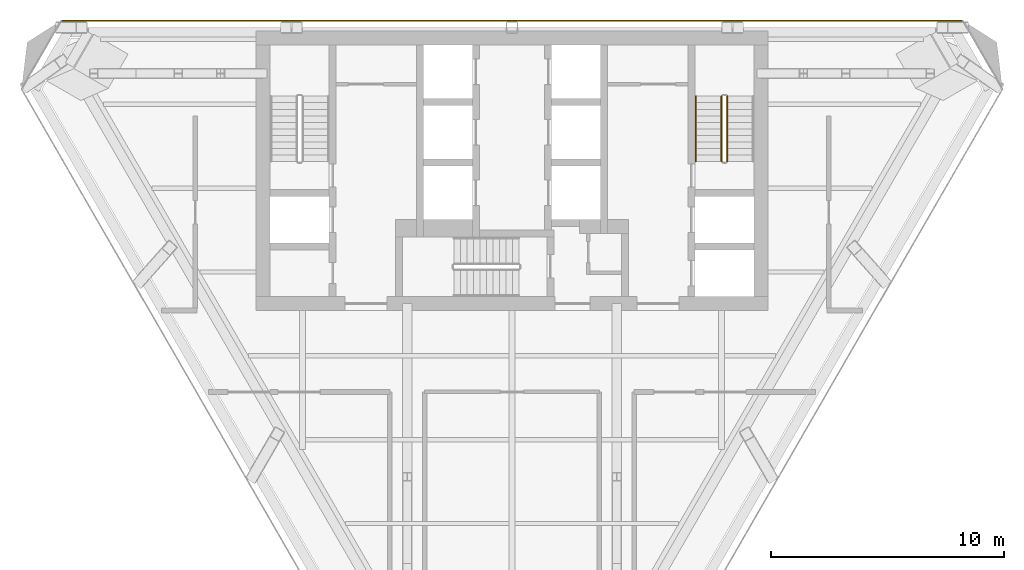
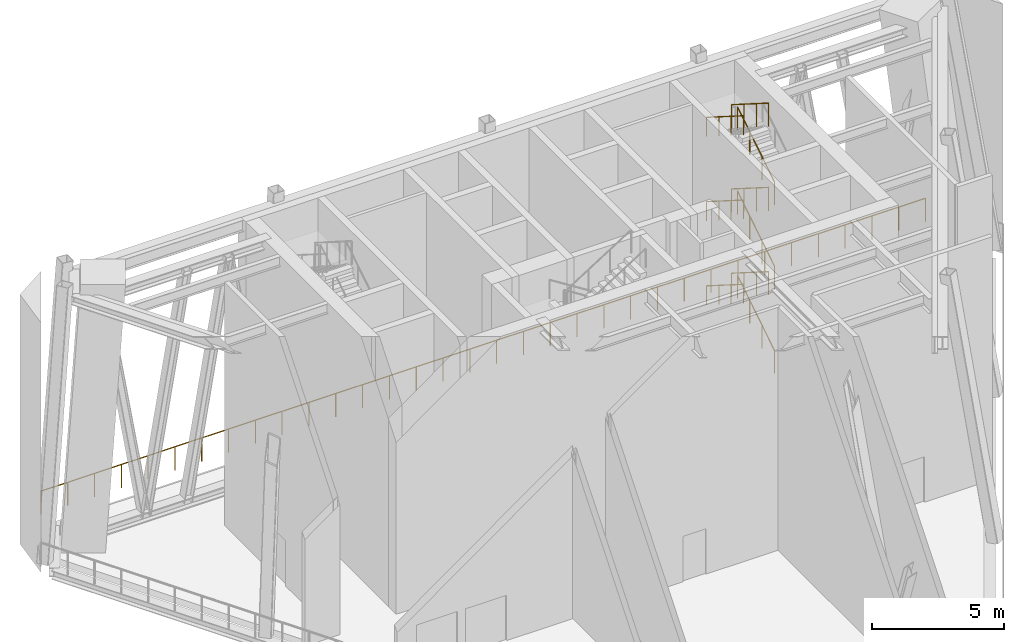
# One storey, part 10 of 11: 10 railings.
"""IFC4 building model written with IfcOpenShell, lengths in metres."""

from ifc_helpers import new_model, si_unit, direction, frame, origin, origin_2d, place, context, subcontext, project, spatial, circle, extrude, material, type_object, element, save


model = new_model("IFC4")

# Units and contexts
model_context = context("Model", 3, precision=1e-05, world=origin(), true_north=direction((0.0, 1.0)))
body_context = subcontext(model_context, "Body", "Model", "MODEL_VIEW")
ifc_project = project(units=[si_unit("LENGTHUNIT", "METRE"), si_unit("AREAUNIT", "SQUARE_METRE"), si_unit("VOLUMEUNIT", "CUBIC_METRE"), si_unit("PLANEANGLEUNIT", "RADIAN"), si_unit("MASSUNIT", "GRAM", prefix="KILO")], contexts=[model_context])

# Site, building, storey
site_placement = place(None, origin())
site = spatial("IfcSite", under=ifc_project, at=site_placement, CompositionType="ELEMENT")
building_placement = place(site_placement, origin())
building = spatial("IfcBuilding", under=site, at=building_placement, Name="Aloe Facet Convention Tower", CompositionType="ELEMENT")
storey_placement = place(building_placement, frame((0.0, 0.0, 227.0)))
storey = spatial("IfcBuildingStorey", under=building, at=storey_placement, Name="L57", CompositionType="ELEMENT", Elevation=227.0)

# Railings
ifc_material_1 = material(Name="Steel S355 balustrade", Category="steel")
railing_type_1 = type_object("IfcRailingType", Name="CR-RL-GUARD", PredefinedType="GUARDRAIL", material=ifc_material_1)
railing_1_placement = place(storey_placement, frame((89.25, 128.949951171875, 0.17724609375)))
element("IfcRailing", 1, at=railing_1_placement, inside=storey, type_object=railing_type_1, Name="L57 ST2 stair guard 1", PredefinedType="GUARDRAIL", context=body_context, shape_type="SweptSolid", body=[
    extrude(circle(Radius=0.02392578125, at=origin_2d()), frame((0.0, 0.0, 1.076171875), z_axis=(0.0, 0.844908973607, 0.534910110503), x_axis=(-1.0, 0.0, 0.0)), (0.0, 0.0, 1.0), 3.31396484375),
    extrude(circle(Radius=0.02099609375, at=origin_2d()), origin(), (0.0, 0.0, 1.0), 1.052001953125),
    extrude(circle(Radius=0.02099609375, at=origin_2d()), frame((0.0, 0.933349609375, 0.5908203125)), (0.0, 0.0, 1.0), 1.052001953125),
    extrude(circle(Radius=0.02099609375, at=origin_2d()), frame((0.0, 1.86669921875, 1.181884765625)), (0.0, 0.0, 1.0), 1.052001953125),
    extrude(circle(Radius=0.02099609375, at=origin_2d()), frame((0.0, 2.800048828125, 1.772705078125)), (0.0, 0.0, 1.0), 1.052001953125),
])
railing_2_placement = place(storey_placement, frame((89.0, 131.75, 2.127197265625)))
element("IfcRailing", 2, at=railing_2_placement, inside=storey, type_object=railing_type_1, Name="L57 ST2 stair guard 3", PredefinedType="GUARDRAIL", context=body_context, shape_type="SweptSolid", body=[
    extrude(circle(Radius=0.02392578125, at=origin_2d()), frame((0.0, 0.0, 1.076171875), z_axis=(0.0, -0.844908973607, 0.534910110503), x_axis=(1.0, 0.0, 0.0)), (0.0, 0.0, 1.0), 3.31396484375),
    extrude(circle(Radius=0.02099609375, at=origin_2d()), origin(), (0.0, 0.0, 1.0), 1.052001953125),
    extrude(circle(Radius=0.02099609375, at=origin_2d()), frame((0.0, -0.933349609375, 0.5908203125)), (0.0, 0.0, 1.0), 1.052001953125),
    extrude(circle(Radius=0.02099609375, at=origin_2d()), frame((0.0, -1.86669921875, 1.181884765625)), (0.0, 0.0, 1.0), 1.052001953125),
    extrude(circle(Radius=0.02099609375, at=origin_2d()), frame((0.0, -2.800048828125, 1.772705078125)), (0.0, 0.0, 1.0), 1.052001953125),
])
railing_3_placement = place(storey_placement, frame((89.25, 128.949951171875, 4.077392578125)))
element("IfcRailing", 3, at=railing_3_placement, inside=storey, type_object=railing_type_1, Name="L57 ST2 stair guard 5", PredefinedType="GUARDRAIL", context=body_context, shape_type="SweptSolid", body=[
    extrude(circle(Radius=0.02392578125, at=origin_2d()), frame((0.0, 0.0, 1.076171875), z_axis=(0.0, 0.844908973607, 0.534910110503), x_axis=(-1.0, 0.0, 0.0)), (0.0, 0.0, 1.0), 3.31396484375),
    extrude(circle(Radius=0.02099609375, at=origin_2d()), origin(), (0.0, 0.0, 1.0), 1.052001953125),
    extrude(circle(Radius=0.02099609375, at=origin_2d()), frame((0.0, 0.933349609375, 0.5908203125)), (0.0, 0.0, 1.0), 1.052001953125),
    extrude(circle(Radius=0.02099609375, at=origin_2d()), frame((0.0, 1.86669921875, 1.181884765625)), (0.0, 0.0, 1.0), 1.052001953125),
    extrude(circle(Radius=0.02099609375, at=origin_2d()), frame((0.0, 2.800048828125, 1.772705078125)), (0.0, 0.0, 1.0), 1.052001953125),
])
railing_4_placement = place(storey_placement, frame((89.0, 131.75, 6.02734375)))
element("IfcRailing", 4, at=railing_4_placement, inside=storey, type_object=railing_type_1, Name="L57 ST2 stair guard 7", PredefinedType="GUARDRAIL", context=body_context, shape_type="SweptSolid", body=[
    extrude(circle(Radius=0.02392578125, at=origin_2d()), frame((0.0, 0.0, 1.076171875), z_axis=(0.0, -0.844908973607, 0.534910110503), x_axis=(1.0, 0.0, 0.0)), (0.0, 0.0, 1.0), 3.31396484375),
    extrude(circle(Radius=0.02099609375, at=origin_2d()), origin(), (0.0, 0.0, 1.0), 1.052001953125),
    extrude(circle(Radius=0.02099609375, at=origin_2d()), frame((0.0, -0.933349609375, 0.5908203125)), (0.0, 0.0, 1.0), 1.052001953125),
    extrude(circle(Radius=0.02099609375, at=origin_2d()), frame((0.0, -1.86669921875, 1.181884765625)), (0.0, 0.0, 1.0), 1.052001953125),
    extrude(circle(Radius=0.02099609375, at=origin_2d()), frame((0.0, -2.800048828125, 1.772705078125)), (0.0, 0.0, 1.0), 1.052001953125),
])
railing_5_placement = place(storey_placement, frame((89.25, 128.949951171875, 7.977294921875)))
element("IfcRailing", 5, at=railing_5_placement, inside=storey, type_object=railing_type_1, Name="L57 ST2 stair guard 9", PredefinedType="GUARDRAIL", context=body_context, shape_type="SweptSolid", body=[
    extrude(circle(Radius=0.02392578125, at=origin_2d()), frame((0.0, 0.0, 1.076171875), z_axis=(0.0, 0.844908973607, 0.534910110503), x_axis=(-1.0, 0.0, 0.0)), (0.0, 0.0, 1.0), 3.31396484375),
    extrude(circle(Radius=0.02099609375, at=origin_2d()), origin(), (0.0, 0.0, 1.0), 1.052001953125),
    extrude(circle(Radius=0.02099609375, at=origin_2d()), frame((0.0, 0.933349609375, 0.5908203125)), (0.0, 0.0, 1.0), 1.052001953125),
    extrude(circle(Radius=0.02099609375, at=origin_2d()), frame((0.0, 1.86669921875, 1.181884765625)), (0.0, 0.0, 1.0), 1.052001953125),
    extrude(circle(Radius=0.02099609375, at=origin_2d()), frame((0.0, 2.800048828125, 1.772705078125)), (0.0, 0.0, 1.0), 1.052001953125),
])
railing_6_placement = place(storey_placement, frame((89.0, 131.75, 9.92724609375)))
element("IfcRailing", 6, at=railing_6_placement, inside=storey, type_object=railing_type_1, Name="L57 ST2 stair guard 11", PredefinedType="GUARDRAIL", context=body_context, shape_type="SweptSolid", body=[
    extrude(circle(Radius=0.02392578125, at=origin_2d()), frame((0.0, 0.0, 1.076171875), z_axis=(0.0, -0.844908973607, 0.534910110503), x_axis=(1.0, 0.0, 0.0)), (0.0, 0.0, 1.0), 3.31396484375),
    extrude(circle(Radius=0.02099609375, at=origin_2d()), origin(), (0.0, 0.0, 1.0), 1.052001953125),
    extrude(circle(Radius=0.02099609375, at=origin_2d()), frame((0.0, -0.933349609375, 0.5908203125)), (0.0, 0.0, 1.0), 1.052001953125),
    extrude(circle(Radius=0.02099609375, at=origin_2d()), frame((0.0, -1.86669921875, 1.181884765625)), (0.0, 0.0, 1.0), 1.052001953125),
    extrude(circle(Radius=0.02099609375, at=origin_2d()), frame((0.0, -2.800048828125, 1.772705078125)), (0.0, 0.0, 1.0), 1.052001953125),
])
ifc_material_2 = material(Name="Steel S355 handrail", Category="steel")
railing_type_2 = type_object("IfcRailingType", Name="CR-RL-HAND", PredefinedType="HANDRAIL", material=ifc_material_2)
for number, where, name in (
    (7, (87.89990234375, 131.75, 2.127197265625), "L57 ST2 stair handrail 2"),
    (8, (87.89990234375, 131.75, 6.02734375), "L57 ST2 stair handrail 4"),
    (9, (87.89990234375, 131.75, 9.92724609375), "L57 ST2 stair handrail 6"),
):
    element("IfcRailing", number, at=place(storey_placement, frame(where)), inside=storey, type_object=railing_type_2, Name=name, PredefinedType="HANDRAIL", context=body_context, shape_type="SweptSolid", body=[
        extrude(circle(Radius=0.02392578125, at=origin_2d()), frame((0.0, 0.0, 0.8759765625), z_axis=(0.0, -0.844908973607, 0.534910110503), x_axis=(1.0, 0.0, 0.0)), (0.0, 0.0, 1.0), 3.31396484375),
        extrude(circle(Radius=0.02099609375, at=origin_2d()), origin(), (0.0, 0.0, 1.0), 0.851806640625),
        extrude(circle(Radius=0.02099609375, at=origin_2d()), frame((0.0, -0.933349609375, 0.5908203125)), (0.0, 0.0, 1.0), 0.851806640625),
        extrude(circle(Radius=0.02099609375, at=origin_2d()), frame((0.0, -1.86669921875, 1.181884765625)), (0.0, 0.0, 1.0), 0.851806640625),
        extrude(circle(Radius=0.02099609375, at=origin_2d()), frame((0.0, -2.800048828125, 1.772705078125)), (0.0, 0.0, 1.0), 0.851806640625),
    ])
ifc_material_3 = material(Name="Steel S355", Category="steel")
railing_type_3 = type_object("IfcRailingType", Name="EV-GUARD-PORTAL", PredefinedType="GUARDRAIL", material=ifc_material_3)
railing_7_placement = place(storey_placement, frame((99.364501953125, 135.0, 0.0)))
element("IfcRailing", 10, at=railing_7_placement, inside=storey, type_object=railing_type_3, Name="GUARD L57-1", PredefinedType="GUARDRAIL", context=body_context, shape_type="SweptSolid", body=[
    extrude(circle(Radius=0.02392578125, at=origin_2d()), frame((0.0, 0.0, 1.076171875), z_axis=(-1.0, 0.0, 0.0), x_axis=(0.0, -1.0, 0.0)), (0.0, 0.0, 1.0), 38.72900390625),
    extrude(circle(Radius=0.02099609375, at=origin_2d()), origin(), (0.0, 0.0, 1.0), 1.052001953125),
    extrude(circle(Radius=0.02099609375, at=origin_2d()), frame((-1.173583984375, 0.0, 0.0)), (0.0, 0.0, 1.0), 1.052001953125),
    extrude(circle(Radius=0.02099609375, at=origin_2d()), frame((-2.34716796875, 0.0, 0.0)), (0.0, 0.0, 1.0), 1.052001953125),
    extrude(circle(Radius=0.02099609375, at=origin_2d()), frame((-3.520751953125, 0.0, 0.0)), (0.0, 0.0, 1.0), 1.052001953125),
    extrude(circle(Radius=0.02099609375, at=origin_2d()), frame((-4.6943359375, 0.0, 0.0)), (0.0, 0.0, 1.0), 1.052001953125),
    extrude(circle(Radius=0.02099609375, at=origin_2d()), frame((-5.867919921875, 0.0, 0.0)), (0.0, 0.0, 1.0), 1.052001953125),
    extrude(circle(Radius=0.02099609375, at=origin_2d()), frame((-7.041748046875, 0.0, 0.0)), (0.0, 0.0, 1.0), 1.052001953125),
    extrude(circle(Radius=0.02099609375, at=origin_2d()), frame((-8.21533203125, 0.0, 0.0)), (0.0, 0.0, 1.0), 1.052001953125),
    extrude(circle(Radius=0.02099609375, at=origin_2d()), frame((-9.388916015625, 0.0, 0.0)), (0.0, 0.0, 1.0), 1.052001953125),
    extrude(circle(Radius=0.02099609375, at=origin_2d()), frame((-10.5625, 0.0, 0.0)), (0.0, 0.0, 1.0), 1.052001953125),
    extrude(circle(Radius=0.02099609375, at=origin_2d()), frame((-11.736083984375, 0.0, 0.0)), (0.0, 0.0, 1.0), 1.052001953125),
    extrude(circle(Radius=0.02099609375, at=origin_2d()), frame((-12.90966796875, 0.0, 0.0)), (0.0, 0.0, 1.0), 1.052001953125),
    extrude(circle(Radius=0.02099609375, at=origin_2d()), frame((-14.083251953125, 0.0, 0.0)), (0.0, 0.0, 1.0), 1.052001953125),
    extrude(circle(Radius=0.02099609375, at=origin_2d()), frame((-15.2568359375, 0.0, 0.0)), (0.0, 0.0, 1.0), 1.052001953125),
    extrude(circle(Radius=0.02099609375, at=origin_2d()), frame((-16.430419921875, 0.0, 0.0)), (0.0, 0.0, 1.0), 1.052001953125),
    extrude(circle(Radius=0.02099609375, at=origin_2d()), frame((-17.60400390625, 0.0, 0.0)), (0.0, 0.0, 1.0), 1.052001953125),
    extrude(circle(Radius=0.02099609375, at=origin_2d()), frame((-18.777587890625, 0.0, 0.0)), (0.0, 0.0, 1.0), 1.052001953125),
    extrude(circle(Radius=0.02099609375, at=origin_2d()), frame((-19.951416015625, 0.0, 0.0)), (0.0, 0.0, 1.0), 1.052001953125),
    extrude(circle(Radius=0.02099609375, at=origin_2d()), frame((-21.125, 0.0, 0.0)), (0.0, 0.0, 1.0), 1.052001953125),
    extrude(circle(Radius=0.02099609375, at=origin_2d()), frame((-22.298583984375, 0.0, 0.0)), (0.0, 0.0, 1.0), 1.052001953125),
    extrude(circle(Radius=0.02099609375, at=origin_2d()), frame((-23.47216796875, 0.0, 0.0)), (0.0, 0.0, 1.0), 1.052001953125),
    extrude(circle(Radius=0.02099609375, at=origin_2d()), frame((-24.645751953125, 0.0, 0.0)), (0.0, 0.0, 1.0), 1.052001953125),
    extrude(circle(Radius=0.02099609375, at=origin_2d()), frame((-25.8193359375, 0.0, 0.0)), (0.0, 0.0, 1.0), 1.052001953125),
    extrude(circle(Radius=0.02099609375, at=origin_2d()), frame((-26.992919921875, 0.0, 0.0)), (0.0, 0.0, 1.0), 1.052001953125),
    extrude(circle(Radius=0.02099609375, at=origin_2d()), frame((-28.16650390625, 0.0, 0.0)), (0.0, 0.0, 1.0), 1.052001953125),
    extrude(circle(Radius=0.02099609375, at=origin_2d()), frame((-29.340087890625, 0.0, 0.0)), (0.0, 0.0, 1.0), 1.052001953125),
    extrude(circle(Radius=0.02099609375, at=origin_2d()), frame((-30.513671875, 0.0, 0.0)), (0.0, 0.0, 1.0), 1.052001953125),
    extrude(circle(Radius=0.02099609375, at=origin_2d()), frame((-31.687255859375, 0.0, 0.0)), (0.0, 0.0, 1.0), 1.052001953125),
    extrude(circle(Radius=0.02099609375, at=origin_2d()), frame((-32.861083984375, 0.0, 0.0)), (0.0, 0.0, 1.0), 1.052001953125),
    extrude(circle(Radius=0.02099609375, at=origin_2d()), frame((-34.03466796875, 0.0, 0.0)), (0.0, 0.0, 1.0), 1.052001953125),
    extrude(circle(Radius=0.02099609375, at=origin_2d()), frame((-35.208251953125, 0.0, 0.0)), (0.0, 0.0, 1.0), 1.052001953125),
    extrude(circle(Radius=0.02099609375, at=origin_2d()), frame((-36.3818359375, 0.0, 0.0)), (0.0, 0.0, 1.0), 1.052001953125),
    extrude(circle(Radius=0.02099609375, at=origin_2d()), frame((-37.555419921875, 0.0, 0.0)), (0.0, 0.0, 1.0), 1.052001953125),
    extrude(circle(Radius=0.02099609375, at=origin_2d()), frame((-38.72900390625, 0.0, 0.0)), (0.0, 0.0, 1.0), 1.052001953125),
])

save(model, "model.ifc")
